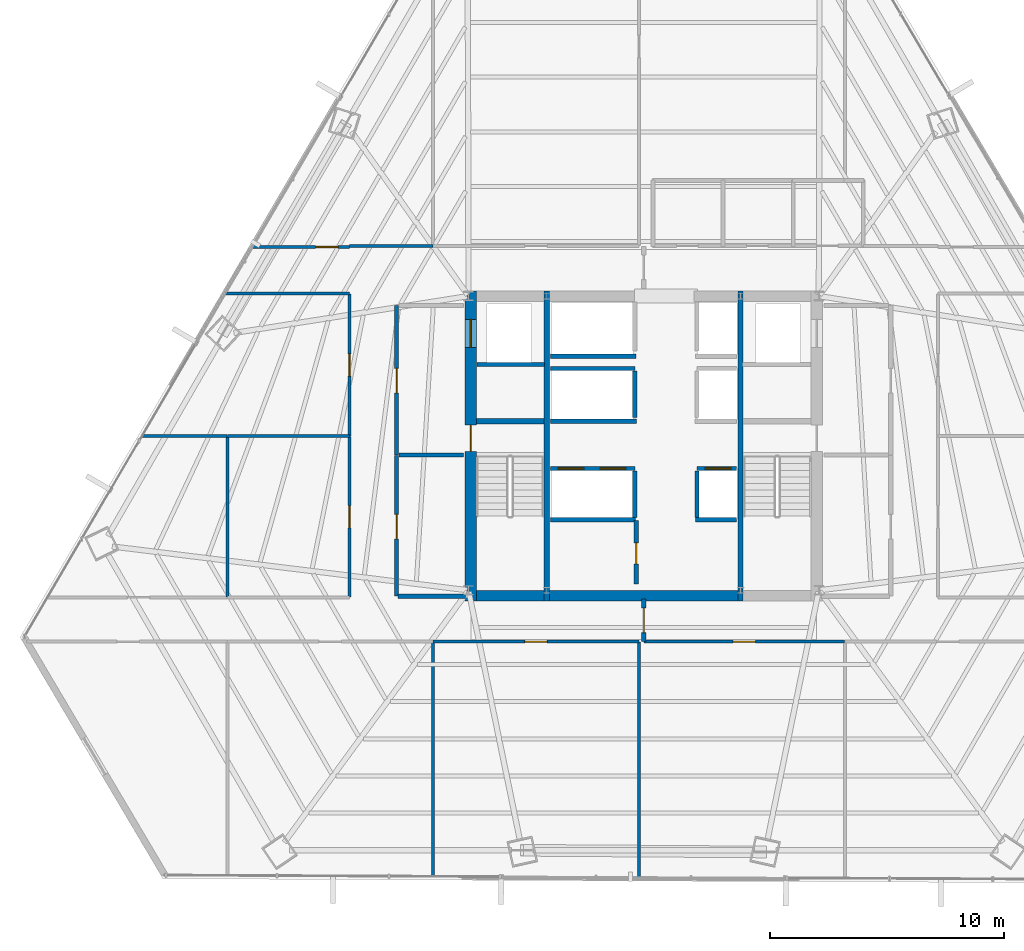
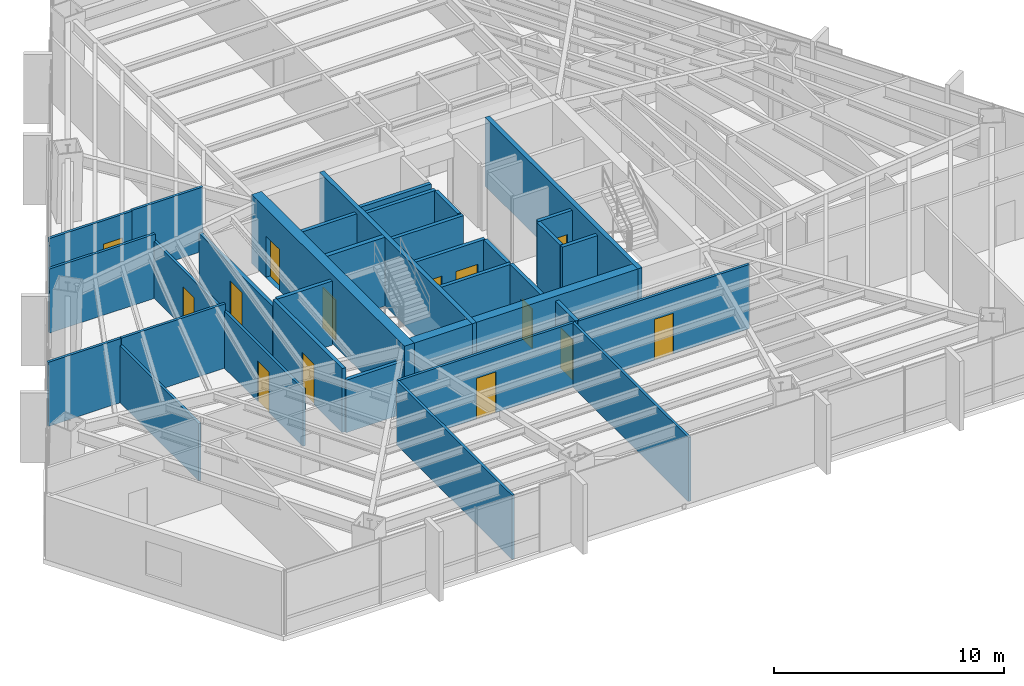
# One storey, part 30 of 35: 35 walls, 14 doors, 14 openings.
"""IFC4 building model written with IfcOpenShell, lengths in metres."""

from ifc_helpers import new_model, si_unit, direction, frame, frame_2d, origin, place, context, subcontext, project, spatial, rectangle, extrude, material, layer, layer_set, type_object, element, fill, save


model = new_model("IFC4")

# Units and contexts
model_context = context("Model", 3, precision=1e-05, world=origin(), true_north=direction((0.0, 1.0)))
body_context = subcontext(model_context, "Body", "Model", "MODEL_VIEW")
ifc_project = project(units=[si_unit("LENGTHUNIT", "METRE"), si_unit("AREAUNIT", "SQUARE_METRE"), si_unit("VOLUMEUNIT", "CUBIC_METRE"), si_unit("PLANEANGLEUNIT", "RADIAN"), si_unit("MASSUNIT", "GRAM", prefix="KILO")], contexts=[model_context])

# Site, building, storey
site_placement = place(None, origin())
site = spatial("IfcSite", under=ifc_project, at=site_placement, CompositionType="ELEMENT")
building_placement = place(site_placement, origin())
building = spatial("IfcBuilding", under=site, at=building_placement, Name="Caelisora Broadcast Tower", CompositionType="ELEMENT")
storey_placement = place(building_placement, frame((0.0, 0.0, 98.10009765625)))
storey = spatial("IfcBuildingStorey", under=building, at=storey_placement, Name="L25", CompositionType="ELEMENT", Elevation=98.10009765625)

# Wall, openings, doors
ifc_material_1 = material(Name="Concrete 50 MPa (AS 3600 S50)", Category="concrete")
ifc_layer_1 = layer(ifc_material_1, 0.5, Name="Concrete 50 MPa (AS 3600 S50)")
ifc_layer_set_1 = layer_set([ifc_layer_1], Name="Concrete 50 MPa (AS 3600 S50)")
wall_type_1 = type_object("IfcWallType", Name="CW2", PredefinedType="SHEAR", material=ifc_layer_set_1)
wall_1_placement = place(storey_placement, frame((30.590087890625, 16.949951171875, 0.0), z_axis=(0.0, 0.0, 1.0), x_axis=(0.0, 1.0, 0.0)))
wall_1 = element("IfcWall", 1, at=wall_1_placement, inside=storey, type_object=wall_type_1, Name="L25 core shear wall CW2", PredefinedType="SHEAR", context=body_context, shape_type="SweptSolid", body=[
    extrude(rectangle(XDim=13.275146484375, YDim=0.5, at=frame_2d((6.6376953125, 0.0))), origin(), (0.0, 0.0, 1.0), 3.64990234375),
])
opening_1_placement = place(wall_1_placement, frame((6.39990234375, 0.0, 0.0)))
opening_1 = element("IfcOpeningElement", 2, at=opening_1_placement, cuts=wall_1, Name="Opening FD04", PredefinedType="OPENING", context=body_context, shape_type="SweptSolid", body=[
    extrude(rectangle(XDim=1.1201171875, YDim=2.14990234375, at=frame_2d((0.56005859375, 1.074951171875))), frame((0.0, 0.261962890625, 0.0), z_axis=(0.0, -1.0, 0.0), x_axis=(1.0, 0.0, 0.0)), (0.0, 0.0, 1.0), 0.52392578125),
])
opening_2_placement = place(wall_1_placement, frame((10.85009765625, 0.0, 0.0)))
opening_2 = element("IfcOpeningElement", 3, at=opening_2_placement, cuts=wall_1, Name="Opening LD04", PredefinedType="OPENING", context=body_context, shape_type="SweptSolid", body=[
    extrude(rectangle(XDim=1.199951171875, YDim=2.199951171875, at=frame_2d((0.60009765625, 1.10009765625))), frame((0.0, 0.261962890625, 0.0), z_axis=(0.0, -1.0, 0.0), x_axis=(1.0, 0.0, 0.0)), (0.0, 0.0, 1.0), 0.52392578125),
])
ifc_material_2 = material(Name="Pressurised Fire-Isolated Stair Door", Category="steel")
door_type_1 = type_object("IfcDoorType", Name="FD04", OperationType="NOTDEFINED", PredefinedType="DOOR", material=ifc_material_2)
door_1_placement = place(opening_1_placement, origin())
door_1 = element("IfcDoor", 4, at=door_1_placement, inside=storey, type_object=door_type_1, Name="L25 door FD04 (L25-DR-ST1)", OperationType="SINGLE_SWING_LEFT", OverallHeight=2.14990234375, OverallWidth=1.1201171875, PredefinedType="DOOR", context=body_context, shape_type="SweptSolid", body=[
    extrude(rectangle(XDim=1.1201171875, YDim=2.14990234375, at=frame_2d((0.56005859375, 1.074951171875))), frame((0.0, 0.02490234375, 0.0), z_axis=(0.0, -1.0, 0.0), x_axis=(1.0, 0.0, 0.0)), (0.0, 0.0, 1.0), 0.050048828125),
])
fill(opening_1, door_1)
ifc_material_3 = material(Name="Emergency Firefighting Lift Sliding Landing Door", Category="steel")
door_type_2 = type_object("IfcDoorType", Name="LD04", OperationType="NOTDEFINED", PredefinedType="DOOR", material=ifc_material_3)
door_2_placement = place(opening_2_placement, origin())
door_2 = element("IfcDoor", 5, at=door_2_placement, inside=storey, type_object=door_type_2, Name="L25 door LD04 (L25-LD-FFL1)", OperationType="SLIDING_TO_LEFT", OverallHeight=2.199951171875, OverallWidth=1.199951171875, PredefinedType="DOOR", context=body_context, shape_type="SweptSolid", body=[
    extrude(rectangle(XDim=1.199951171875, YDim=2.199951171875, at=frame_2d((0.60009765625, 1.10009765625))), frame((0.0, 0.02490234375, 0.0), z_axis=(0.0, -1.0, 0.0), x_axis=(1.0, 0.0, 0.0)), (0.0, 0.0, 1.0), 0.050048828125),
])
fill(opening_2, door_2)

# Walls
ifc_layer_2 = layer(ifc_material_1, 0.449951171875, Name="Concrete 50 MPa (AS 3600 S50)")
ifc_layer_set_2 = layer_set([ifc_layer_2], Name="Concrete 50 MPa (AS 3600 S50)")
wall_type_2 = type_object("IfcWallType", Name="CW5", PredefinedType="SHEAR", material=ifc_layer_set_2)
wall_2_placement = place(storey_placement, frame((30.840087890625, 17.175048828125, 0.0), z_axis=(0.0, 0.0, 1.0), x_axis=(1.0, 0.0, 0.0)))
element("IfcWall", 6, at=wall_2_placement, inside=storey, type_object=wall_type_2, Name="L25 core shear wall CW5", PredefinedType="SHEAR", context=body_context, shape_type="SweptSolid", body=[
    extrude(rectangle(XDim=2.89990234375, YDim=0.449951171875, at=frame_2d((1.449951171875, 0.0))), origin(), (0.0, 0.0, 1.0), 3.64990234375),
])
wall_3_placement = place(storey_placement, frame((33.9599609375, 17.175048828125, 0.0), z_axis=(0.0, 0.0, 1.0), x_axis=(1.0, 0.0, 0.0)))
element("IfcWall", 7, at=wall_3_placement, inside=storey, type_object=wall_type_2, Name="L25 core shear wall CW5", PredefinedType="SHEAR", context=body_context, shape_type="SweptSolid", body=[
    extrude(rectangle(XDim=8.080078125, YDim=0.449951171875, at=frame_2d((4.0400390625, 0.0))), origin(), (0.0, 0.0, 1.0), 3.64990234375),
])
ifc_layer_3 = layer(ifc_material_1, 0.219970703125, Name="Concrete 50 MPa (AS 3600 S50)")
ifc_layer_set_3 = layer_set([ifc_layer_3], Name="Concrete 50 MPa (AS 3600 S50)")
wall_type_3 = type_object("IfcWallType", Name="CW7", PredefinedType="SHEAR", material=ifc_layer_set_3)
for number, where, z_axis, x_axis, name in (
    (8, (33.85009765625, 16.949951171875, 0.0), (0.0, 0.0, 1.0), (0.0, 1.0, 0.0), "L25 core shear wall CW7"),
    (9, (42.14990234375, 16.949951171875, 0.0), (0.0, 0.0, 1.0), (0.0, 1.0, 0.0), "L25 core shear wall CW7"),
):
    element("IfcWall", number, at=place(storey_placement, frame(where, z_axis=z_axis, x_axis=x_axis)), inside=storey, type_object=wall_type_3, Name=name, PredefinedType="SHEAR", context=body_context, shape_type="SweptSolid", body=[
        extrude(rectangle(XDim=13.275146484375, YDim=0.219970703125, at=frame_2d((6.6376953125, 0.0))), origin(), (0.0, 0.0, 1.0), 3.64990234375),
    ])
wall_4_placement = place(storey_placement, frame((30.840087890625, 24.639892578125, 0.0), z_axis=(0.0, 0.0, 1.0), x_axis=(1.0, 0.0, 0.0)))
element("IfcWall", 10, at=wall_4_placement, inside=storey, type_object=wall_type_3, Name="L25 core shear wall CW7", PredefinedType="SHEAR", context=body_context, shape_type="SweptSolid", body=[
    extrude(rectangle(XDim=2.89990234375, YDim=0.219970703125, at=frame_2d((1.449951171875, 0.0))), origin(), (0.0, 0.0, 1.0), 3.64990234375),
])

# Wall, openings, doors
ifc_material_4 = material(Name="Fire-Rated Gypsum Shaft and Compartment Wall", Category="gypsum")
ifc_layer_4 = layer(ifc_material_4, 0.179931640625, Name="Fire-Rated Gypsum Shaft and Compartment Wall")
ifc_layer_set_4 = layer_set([ifc_layer_4], Name="Fire-Rated Gypsum Shaft and Compartment Wall")
wall_type_4 = type_object("IfcWallType", Name="PW2", PredefinedType="PARTITIONING", material=ifc_layer_set_4)
wall_5_placement = place(storey_placement, frame((34.02001953125, 22.6201171875, 0.0), z_axis=(0.0, 0.0, 1.0), x_axis=(1.0, 0.0, 0.0)))
wall_5 = element("IfcWall", 11, at=wall_5_placement, inside=storey, type_object=wall_type_4, Name="L25 fire compartment wall PW2", PredefinedType="PARTITIONING", context=body_context, shape_type="SweptSolid", body=[
    extrude(rectangle(XDim=3.60009765625, YDim=0.179931640625, at=frame_2d((1.800048828125, 0.0))), origin(), (0.0, 0.0, 1.0), 3.39990234375),
])
opening_3_placement = place(wall_5_placement, frame((0.320068359375, 0.0, 0.0)))
opening_3 = element("IfcOpeningElement", 12, at=opening_3_placement, cuts=wall_5, Name="Opening LD01", PredefinedType="OPENING", context=body_context, shape_type="SweptSolid", body=[
    extrude(rectangle(XDim=1.10009765625, YDim=2.199951171875, at=frame_2d((0.550048828125, 1.10009765625))), frame((0.0, 0.10205078125, 0.0), z_axis=(0.0, -1.0, 0.0), x_axis=(1.0, 0.0, 0.0)), (0.0, 0.0, 1.0), 0.203857421875),
])
opening_4_placement = place(wall_5_placement, frame((2.1201171875, 0.0, 0.0)))
opening_4 = element("IfcOpeningElement", 13, at=opening_4_placement, cuts=wall_5, Name="Opening LD01", PredefinedType="OPENING", context=body_context, shape_type="SweptSolid", body=[
    extrude(rectangle(XDim=1.10009765625, YDim=2.199951171875, at=frame_2d((0.550048828125, 1.10009765625))), frame((0.0, 0.10205078125, 0.0), z_axis=(0.0, -1.0, 0.0), x_axis=(1.0, 0.0, 0.0)), (0.0, 0.0, 1.0), 0.203857421875),
])
ifc_material_5 = material(Name="Stainless Steel Centre-Parting Lift Landing Door", Category="steel")
door_type_3 = type_object("IfcDoorType", Name="LD01", OperationType="NOTDEFINED", PredefinedType="DOOR", material=ifc_material_5)
door_3_placement = place(opening_3_placement, origin())
door_3 = element("IfcDoor", 14, at=door_3_placement, inside=storey, type_object=door_type_3, Name="L25 door LD01 (L25-LD-PLL1)", OperationType="SLIDING_TO_LEFT", OverallHeight=2.199951171875, OverallWidth=1.10009765625, PredefinedType="DOOR", context=body_context, shape_type="SweptSolid", body=[
    extrude(rectangle(XDim=1.10009765625, YDim=2.199951171875, at=frame_2d((0.550048828125, 1.10009765625))), frame((0.0, 0.02490234375, 0.0), z_axis=(0.0, -1.0, 0.0), x_axis=(1.0, 0.0, 0.0)), (0.0, 0.0, 1.0), 0.050048828125),
])
fill(opening_3, door_3)
door_4_placement = place(opening_4_placement, origin())
door_4 = element("IfcDoor", 15, at=door_4_placement, inside=storey, type_object=door_type_3, Name="L25 door LD01 (L25-LD-PLL2)", OperationType="SLIDING_TO_RIGHT", OverallHeight=2.199951171875, OverallWidth=1.10009765625, PredefinedType="DOOR", context=body_context, shape_type="SweptSolid", body=[
    extrude(rectangle(XDim=1.10009765625, YDim=2.199951171875, at=frame_2d((0.550048828125, 1.10009765625))), frame((0.0, 0.02490234375, 0.0), z_axis=(0.0, -1.0, 0.0), x_axis=(1.0, 0.0, 0.0)), (0.0, 0.0, 1.0), 0.050048828125),
])
fill(opening_4, door_4)

# Wall, opening, door
wall_6_placement = place(storey_placement, frame((40.280029296875, 22.6201171875, 0.0), z_axis=(0.0, 0.0, 1.0), x_axis=(1.0, 0.0, 0.0)))
wall_6 = element("IfcWall", 16, at=wall_6_placement, inside=storey, type_object=wall_type_4, Name="L25 fire compartment wall PW2", PredefinedType="PARTITIONING", context=body_context, shape_type="SweptSolid", body=[
    extrude(rectangle(XDim=1.699951171875, YDim=0.179931640625, at=frame_2d((0.85009765625, 0.0))), origin(), (0.0, 0.0, 1.0), 3.39990234375),
])
opening_5_placement = place(wall_6_placement, frame((0.35009765625, 0.0, 0.0)))
opening_5 = element("IfcOpeningElement", 17, at=opening_5_placement, cuts=wall_6, Name="Opening LD01", PredefinedType="OPENING", context=body_context, shape_type="SweptSolid", body=[
    extrude(rectangle(XDim=1.10009765625, YDim=2.199951171875, at=frame_2d((0.550048828125, 1.10009765625))), frame((0.0, 0.10205078125, 0.0), z_axis=(0.0, -1.0, 0.0), x_axis=(1.0, 0.0, 0.0)), (0.0, 0.0, 1.0), 0.203857421875),
])
door_5_placement = place(opening_5_placement, origin())
door_5 = element("IfcDoor", 18, at=door_5_placement, inside=storey, type_object=door_type_3, Name="L25 door LD01 (L25-LD-PLL3)", OperationType="SLIDING_TO_LEFT", OverallHeight=2.199951171875, OverallWidth=1.10009765625, PredefinedType="DOOR", context=body_context, shape_type="SweptSolid", body=[
    extrude(rectangle(XDim=1.10009765625, YDim=2.199951171875, at=frame_2d((0.550048828125, 1.10009765625))), frame((0.0, 0.02490234375, 0.0), z_axis=(0.0, -1.0, 0.0), x_axis=(1.0, 0.0, 0.0)), (0.0, 0.0, 1.0), 0.050048828125),
])
fill(opening_5, door_5)

# Walls
for number, where, z_axis, x_axis, name in (
    (19, (37.6201171875, 20.52001953125, 0.0), (0.0, 0.0, 1.0), (0.0, 1.0, 0.0), "L25 fire compartment wall PW2"),
    (20, (40.280029296875, 20.52001953125, 0.0), (0.0, 0.0, 1.0), (0.0, 1.0, 0.0), "L25 fire compartment wall PW2"),
):
    element("IfcWall", number, at=place(storey_placement, frame(where, z_axis=z_axis, x_axis=x_axis)), inside=storey, type_object=wall_type_4, Name=name, PredefinedType="PARTITIONING", context=body_context, shape_type="SweptSolid", body=[
        extrude(rectangle(XDim=2.0, YDim=0.179931640625, at=frame_2d((1.0, 0.0))), origin(), (0.0, 0.0, 1.0), 3.39990234375),
    ])
wall_7_placement = place(storey_placement, frame((34.02001953125, 26.89990234375, 0.0), z_axis=(0.0, 0.0, 1.0), x_axis=(1.0, 0.0, 0.0)))
element("IfcWall", 21, at=wall_7_placement, inside=storey, type_object=wall_type_4, Name="L25 fire compartment wall PW2", PredefinedType="PARTITIONING", context=body_context, shape_type="SweptSolid", body=[
    extrude(rectangle(XDim=3.60009765625, YDim=0.179931640625, at=frame_2d((1.800048828125, 0.0))), origin(), (0.0, 0.0, 1.0), 3.39990234375),
])
wall_8_placement = place(storey_placement, frame((37.6201171875, 24.800048828125, 0.0), z_axis=(0.0, 0.0, 1.0), x_axis=(0.0, 1.0, 0.0)))
element("IfcWall", 22, at=wall_8_placement, inside=storey, type_object=wall_type_4, Name="L25 fire compartment wall PW2", PredefinedType="PARTITIONING", context=body_context, shape_type="SweptSolid", body=[
    extrude(rectangle(XDim=2.0, YDim=0.179931640625, at=frame_2d((1.0, 0.0))), origin(), (0.0, 0.0, 1.0), 3.39990234375),
])
wall_9_placement = place(storey_placement, frame((34.02001953125, 24.639892578125, 0.0), z_axis=(0.0, 0.0, 1.0), x_axis=(1.0, 0.0, 0.0)))
element("IfcWall", 23, at=wall_9_placement, inside=storey, type_object=wall_type_4, Name="L25 fire compartment wall PW2", PredefinedType="PARTITIONING", context=body_context, shape_type="SweptSolid", body=[
    extrude(rectangle(XDim=3.679931640625, YDim=0.179931640625, at=frame_2d((1.83984375, 0.0))), origin(), (0.0, 0.0, 1.0), 3.39990234375),
])
wall_10_placement = place(storey_placement, frame((34.02001953125, 27.419921875, 0.0), z_axis=(0.0, 0.0, 1.0), x_axis=(1.0, 0.0, 0.0)))
element("IfcWall", 24, at=wall_10_placement, inside=storey, type_object=wall_type_4, Name="L25 fire compartment wall PW2", PredefinedType="PARTITIONING", context=body_context, shape_type="SweptSolid", body=[
    extrude(rectangle(XDim=3.659912109375, YDim=0.179931640625, at=frame_2d((1.830078125, 0.0))), origin(), (0.0, 0.0, 1.0), 3.39990234375),
])

# Wall, opening, door
wall_11_placement = place(storey_placement, frame((27.419921875, 23.199951171875, 0.0), z_axis=(0.0, 0.0, 1.0), x_axis=(0.0, 1.0, 0.0)))
wall_11 = element("IfcWall", 25, at=wall_11_placement, inside=storey, type_object=wall_type_4, Name="L25 fire compartment wall PW2", PredefinedType="PARTITIONING", context=body_context, shape_type="SweptSolid", body=[
    extrude(rectangle(XDim=6.400146484375, YDim=0.179931640625, at=frame_2d((3.2001953125, 0.0))), origin(), (0.0, 0.0, 1.0), 3.0263671875),
])
opening_6_placement = place(wall_11_placement, frame((2.64990234375, 0.0, 0.0)))
opening_6 = element("IfcOpeningElement", 26, at=opening_6_placement, cuts=wall_11, Name="Opening FD02", PredefinedType="OPENING", context=body_context, shape_type="SweptSolid", body=[
    extrude(rectangle(XDim=1.050048828125, YDim=2.14990234375, at=frame_2d((0.52490234375, 1.074951171875))), frame((0.0, 0.10205078125, 0.0), z_axis=(0.0, -1.0, 0.0), x_axis=(1.0, 0.0, 0.0)), (0.0, 0.0, 1.0), 0.203857421875),
])
ifc_material_6 = material(Name="Single-Leaf Steel Fire Lobby Door", Category="steel")
door_type_4 = type_object("IfcDoorType", Name="FD02", OperationType="NOTDEFINED", PredefinedType="DOOR", material=ifc_material_6)
door_6_placement = place(opening_6_placement, origin())
door_6 = element("IfcDoor", 27, at=door_6_placement, inside=storey, type_object=door_type_4, Name="L25 door FD02 (L25-DR-P01D1)", OperationType="SINGLE_SWING_RIGHT", OverallHeight=2.14990234375, OverallWidth=1.050048828125, PredefinedType="DOOR", context=body_context, shape_type="SweptSolid", body=[
    extrude(rectangle(XDim=1.050048828125, YDim=2.14990234375, at=frame_2d((0.52490234375, 1.074951171875))), frame((0.0, 0.02490234375, 0.0), z_axis=(0.0, -1.0, 0.0), x_axis=(1.0, 0.0, 0.0)), (0.0, 0.0, 1.0), 0.050048828125),
])
fill(opening_6, door_6)

# Walls
wall_12_placement = place(storey_placement, frame((27.52001953125, 23.199951171875, 0.0), z_axis=(0.0, 0.0, 1.0), x_axis=(1.0, 0.0, 0.0)))
element("IfcWall", 28, at=wall_12_placement, inside=storey, type_object=wall_type_4, Name="L25 fire compartment wall PW2", PredefinedType="PARTITIONING", context=body_context, shape_type="SweptSolid", body=[
    extrude(rectangle(XDim=2.760009765625, YDim=0.179931640625, at=frame_2d((1.3798828125, 0.0))), origin(), (0.0, 0.0, 1.0), 3.39990234375),
])
wall_13_placement = place(storey_placement, frame((30.860107421875, 27.070068359375, 0.0), z_axis=(0.0, 0.0, 1.0), x_axis=(1.0, 0.0, 0.0)))
element("IfcWall", 29, at=wall_13_placement, inside=storey, type_object=wall_type_4, Name="L25 fire compartment wall PW2", PredefinedType="PARTITIONING", context=body_context, shape_type="SweptSolid", body=[
    extrude(rectangle(XDim=2.89990234375, YDim=0.179931640625, at=frame_2d((1.449951171875, 0.0))), origin(), (0.0, 0.0, 1.0), 3.39990234375),
])
wall_14_placement = place(storey_placement, frame((34.02001953125, 20.419921875, 0.0), z_axis=(0.0, 0.0, 1.0), x_axis=(1.0, 0.0, 0.0)))
element("IfcWall", 30, at=wall_14_placement, inside=storey, type_object=wall_type_4, Name="L25 fire compartment wall PW2", PredefinedType="PARTITIONING", context=body_context, shape_type="SweptSolid", body=[
    extrude(rectangle(XDim=3.639892578125, YDim=0.179931640625, at=frame_2d((1.81982421875, 0.0))), origin(), (0.0, 0.0, 1.0), 3.39990234375),
])
wall_15_placement = place(storey_placement, frame((40.219970703125, 20.419921875, 0.0), z_axis=(0.0, 0.0, 1.0), x_axis=(1.0, 0.0, 0.0)))
element("IfcWall", 31, at=wall_15_placement, inside=storey, type_object=wall_type_4, Name="L25 fire compartment wall PW2", PredefinedType="PARTITIONING", context=body_context, shape_type="SweptSolid", body=[
    extrude(rectangle(XDim=1.760009765625, YDim=0.179931640625, at=frame_2d((0.8798828125, 0.0))), origin(), (0.0, 0.0, 1.0), 3.39990234375),
])

# Wall, opening, door
wall_16_placement = place(storey_placement, frame((37.679931640625, 17.679931640625, 0.0), z_axis=(0.0, 0.0, 1.0), x_axis=(0.0, 1.0, 0.0)))
wall_16 = element("IfcWall", 32, at=wall_16_placement, inside=storey, type_object=wall_type_4, Name="L25 fire compartment wall PW2", PredefinedType="PARTITIONING", context=body_context, shape_type="SweptSolid", body=[
    extrude(rectangle(XDim=2.699951171875, YDim=0.179931640625, at=frame_2d((1.35009765625, 0.0))), origin(), (0.0, 0.0, 1.0), 3.39990234375),
])
opening_7_placement = place(wall_16_placement, frame((0.85009765625, 0.0, 0.0)))
opening_7 = element("IfcOpeningElement", 33, at=opening_7_placement, cuts=wall_16, Name="Opening FD03", PredefinedType="OPENING", context=body_context, shape_type="SweptSolid", body=[
    extrude(rectangle(XDim=0.89990234375, YDim=2.10009765625, at=frame_2d((0.449951171875, 1.050048828125))), frame((0.0, 0.10205078125, 0.0), z_axis=(0.0, -1.0, 0.0), x_axis=(1.0, 0.0, 0.0)), (0.0, 0.0, 1.0), 0.203857421875),
])
ifc_material_7 = material(Name="Single-Leaf Steel Riser Fire Access Door", Category="steel")
door_type_5 = type_object("IfcDoorType", Name="FD03", OperationType="NOTDEFINED", PredefinedType="DOOR", material=ifc_material_7)
door_7_placement = place(opening_7_placement, origin())
door_7 = element("IfcDoor", 34, at=door_7_placement, inside=storey, type_object=door_type_5, Name="L25 door FD03 (L25-DR-P11D1)", OperationType="SINGLE_SWING_RIGHT", OverallHeight=2.10009765625, OverallWidth=0.89990234375, PredefinedType="DOOR", context=body_context, shape_type="SweptSolid", body=[
    extrude(rectangle(XDim=0.89990234375, YDim=2.10009765625, at=frame_2d((0.449951171875, 1.050048828125))), frame((0.0, 0.02490234375, 0.0), z_axis=(0.0, -1.0, 0.0), x_axis=(1.0, 0.0, 0.0)), (0.0, 0.0, 1.0), 0.050048828125),
])
fill(opening_7, door_7)

wall_17_placement = place(storey_placement, frame((27.419921875, 17.14990234375, 0.0), z_axis=(0.0, 0.0, 1.0), x_axis=(0.0, 1.0, 0.0)))
wall_17 = element("IfcWall", 35, at=wall_17_placement, inside=storey, type_object=wall_type_4, Name="L25 fire compartment wall PW2", PredefinedType="PARTITIONING", context=body_context, shape_type="SweptSolid", body=[
    extrude(rectangle(XDim=6.030029296875, YDim=0.179931640625, at=frame_2d((3.01513671875, 0.0))), origin(), (0.0, 0.0, 1.0), 3.39990234375),
])
opening_8_placement = place(wall_17_placement, frame((2.449951171875, 0.0, 0.0)))
opening_8 = element("IfcOpeningElement", 36, at=opening_8_placement, cuts=wall_17, Name="Opening FD02", PredefinedType="OPENING", context=body_context, shape_type="SweptSolid", body=[
    extrude(rectangle(XDim=1.050048828125, YDim=2.14990234375, at=frame_2d((0.52490234375, 1.074951171875))), frame((0.0, 0.10205078125, 0.0), z_axis=(0.0, -1.0, 0.0), x_axis=(1.0, 0.0, 0.0)), (0.0, 0.0, 1.0), 0.203857421875),
])
door_8_placement = place(opening_8_placement, origin())
door_8 = element("IfcDoor", 37, at=door_8_placement, inside=storey, type_object=door_type_4, Name="L25 door FD02 (L25-DR-P12D1)", OperationType="SINGLE_SWING_LEFT", OverallHeight=2.14990234375, OverallWidth=1.050048828125, PredefinedType="DOOR", context=body_context, shape_type="SweptSolid", body=[
    extrude(rectangle(XDim=1.050048828125, YDim=2.14990234375, at=frame_2d((0.52490234375, 1.074951171875))), frame((0.0, 0.02490234375, 0.0), z_axis=(0.0, -1.0, 0.0), x_axis=(1.0, 0.0, 0.0)), (0.0, 0.0, 1.0), 0.050048828125),
])
fill(opening_8, door_8)

# Wall
wall_18_placement = place(storey_placement, frame((27.47998046875, 17.14990234375, 0.0), z_axis=(0.0, 0.0, 1.0), x_axis=(1.0, 0.0, 0.0)))
element("IfcWall", 38, at=wall_18_placement, inside=storey, type_object=wall_type_4, Name="L25 fire compartment wall PW2", PredefinedType="PARTITIONING", context=body_context, shape_type="SweptSolid", body=[
    extrude(rectangle(XDim=2.89990234375, YDim=0.179931640625, at=frame_2d((1.449951171875, 0.0))), origin(), (0.0, 0.0, 1.0), 2.78271484375),
])

# Wall, opening, door
wall_19_placement = place(storey_placement, frame((38.0, 15.205078125, 0.0), z_axis=(0.0, 0.0, 1.0), x_axis=(0.0, 1.0, 0.0)))
wall_19 = element("IfcWall", 39, at=wall_19_placement, inside=storey, type_object=wall_type_4, Name="L25 fire compartment wall PW2", PredefinedType="PARTITIONING", context=body_context, shape_type="SweptSolid", body=[
    extrude(rectangle(XDim=1.81982421875, YDim=0.179931640625, at=frame_2d((0.909912109375, 0.0))), origin(), (0.0, 0.0, 1.0), 3.39990234375),
])
opening_9_placement = place(wall_19_placement, frame((0.385009765625, 0.0, 0.0)))
opening_9 = element("IfcOpeningElement", 40, at=opening_9_placement, cuts=wall_19, Name="Opening FD02", PredefinedType="OPENING", context=body_context, shape_type="SweptSolid", body=[
    extrude(rectangle(XDim=1.050048828125, YDim=2.14990234375, at=frame_2d((0.52490234375, 1.074951171875))), frame((0.0, 0.10205078125, 0.0), z_axis=(0.0, -1.0, 0.0), x_axis=(1.0, 0.0, 0.0)), (0.0, 0.0, 1.0), 0.203857421875),
])
door_9_placement = place(opening_9_placement, origin())
door_9 = element("IfcDoor", 41, at=door_9_placement, inside=storey, type_object=door_type_4, Name="L25 door FD02 (L25-DR-P63D1)", OperationType="SINGLE_SWING_LEFT", OverallHeight=2.14990234375, OverallWidth=1.050048828125, PredefinedType="DOOR", context=body_context, shape_type="SweptSolid", body=[
    extrude(rectangle(XDim=1.050048828125, YDim=2.14990234375, at=frame_2d((0.52490234375, 1.074951171875))), frame((0.0, 0.02490234375, 0.0), z_axis=(0.0, -1.0, 0.0), x_axis=(1.0, 0.0, 0.0)), (0.0, 0.0, 1.0), 0.050048828125),
])
fill(opening_9, door_9)

# Walls
ifc_material_8 = material(Name="Acoustic Steel-Stud Plasterboard Partition", Category="gypsum")
ifc_layer_5 = layer(ifc_material_8, 0.1298828125, Name="Acoustic Steel-Stud Plasterboard Partition")
ifc_layer_set_5 = layer_set([ifc_layer_5], Name="Acoustic Steel-Stud Plasterboard Partition")
wall_type_5 = type_object("IfcWallType", Name="PW3", PredefinedType="PARTITIONING", material=ifc_layer_set_5)
wall_20_placement = place(storey_placement, frame((37.800048828125, 5.101318359375, 0.0), z_axis=(0.0, 0.0, 1.0), x_axis=(0.0, 1.0, 0.0)))
element("IfcWall", 42, at=wall_20_placement, inside=storey, type_object=wall_type_5, Name="L25 internal partition PW3", PredefinedType="PARTITIONING", context=body_context, shape_type="SweptSolid", body=[
    extrude(rectangle(XDim=10.09375, YDim=0.1298828125, at=frame_2d((5.046875, 0.0))), origin(), (0.0, 0.0, 1.0), 3.39990234375),
])
wall_21_placement = place(storey_placement, frame((28.97998046875, 5.141357421875, 0.0), z_axis=(0.0, 0.0, 1.0), x_axis=(0.0, 1.0, 0.0)))
element("IfcWall", 43, at=wall_21_placement, inside=storey, type_object=wall_type_5, Name="L25 internal partition PW3", PredefinedType="PARTITIONING", context=body_context, shape_type="SweptSolid", body=[
    extrude(rectangle(XDim=10.0537109375, YDim=0.1298828125, at=frame_2d((5.02685546875, 0.0))), origin(), (0.0, 0.0, 1.0), 3.39990234375),
])

# Wall, opening, door
wall_22_placement = place(storey_placement, frame((28.985107421875, 15.199951171875, 0.0), z_axis=(0.0, 0.0, 1.0), x_axis=(1.0, 0.0, 0.0)))
wall_22 = element("IfcWall", 44, at=wall_22_placement, inside=storey, type_object=wall_type_5, Name="L25 internal partition PW3", PredefinedType="PARTITIONING", context=body_context, shape_type="SweptSolid", body=[
    extrude(rectangle(XDim=8.809814453125, YDim=0.1298828125, at=frame_2d((4.40478515625, 0.0))), origin(), (0.0, 0.0, 1.0), 3.39990234375),
])
opening_10_placement = place(wall_22_placement, frame((3.925048828125, 0.0, 0.0)))
opening_10 = element("IfcOpeningElement", 45, at=opening_10_placement, cuts=wall_22, Name="Opening D01", PredefinedType="OPENING", context=body_context, shape_type="SweptSolid", body=[
    extrude(rectangle(XDim=0.9599609375, YDim=2.14990234375, at=frame_2d((0.47998046875, 1.074951171875))), frame((0.0, 0.076904296875, 0.0), z_axis=(0.0, -1.0, 0.0), x_axis=(1.0, 0.0, 0.0)), (0.0, 0.0, 1.0), 0.15380859375),
])
ifc_material_9 = material(Name="Solid-Core Timber Acoustic Office Door", Category="wood")
door_type_6 = type_object("IfcDoorType", Name="D01", OperationType="NOTDEFINED", PredefinedType="DOOR", material=ifc_material_9)
door_10_placement = place(opening_10_placement, origin())
door_10 = element("IfcDoor", 46, at=door_10_placement, inside=storey, type_object=door_type_6, Name="L25 door D01 (L25-DR-P37D1)", OperationType="SINGLE_SWING_LEFT", OverallHeight=2.14990234375, OverallWidth=0.9599609375, PredefinedType="DOOR", context=body_context, shape_type="SweptSolid", body=[
    extrude(rectangle(XDim=0.9599609375, YDim=2.14990234375, at=frame_2d((0.47998046875, 1.074951171875))), frame((0.0, 0.02490234375, 0.0), z_axis=(0.0, -1.0, 0.0), x_axis=(1.0, 0.0, 0.0)), (0.0, 0.0, 1.0), 0.050048828125),
])
fill(opening_10, door_10)

wall_23_placement = place(storey_placement, frame((38.0048828125, 15.199951171875, 0.0), z_axis=(0.0, 0.0, 1.0), x_axis=(1.0, 0.0, 0.0)))
wall_23 = element("IfcWall", 47, at=wall_23_placement, inside=storey, type_object=wall_type_5, Name="L25 internal partition PW3", PredefinedType="PARTITIONING", context=body_context, shape_type="SweptSolid", body=[
    extrude(rectangle(XDim=8.60009765625, YDim=0.1298828125, at=frame_2d((4.300048828125, 0.0))), origin(), (0.0, 0.0, 1.0), 3.39990234375),
])
opening_11_placement = place(wall_23_placement, frame((3.820068359375, 0.0, 0.0)))
opening_11 = element("IfcOpeningElement", 48, at=opening_11_placement, cuts=wall_23, Name="Opening D01", PredefinedType="OPENING", context=body_context, shape_type="SweptSolid", body=[
    extrude(rectangle(XDim=0.9599609375, YDim=2.14990234375, at=frame_2d((0.47998046875, 1.074951171875))), frame((0.0, 0.076904296875, 0.0), z_axis=(0.0, -1.0, 0.0), x_axis=(1.0, 0.0, 0.0)), (0.0, 0.0, 1.0), 0.15380859375),
])
door_11_placement = place(opening_11_placement, origin())
door_11 = element("IfcDoor", 49, at=door_11_placement, inside=storey, type_object=door_type_6, Name="L25 door D01 (L25-DR-P40D1)", OperationType="SINGLE_SWING_RIGHT", OverallHeight=2.14990234375, OverallWidth=0.9599609375, PredefinedType="DOOR", context=body_context, shape_type="SweptSolid", body=[
    extrude(rectangle(XDim=0.9599609375, YDim=2.14990234375, at=frame_2d((0.47998046875, 1.074951171875))), frame((0.0, 0.02490234375, 0.0), z_axis=(0.0, -1.0, 0.0), x_axis=(1.0, 0.0, 0.0)), (0.0, 0.0, 1.0), 0.050048828125),
])
fill(opening_11, door_11)

wall_24_placement = place(storey_placement, frame((25.39990234375, 17.10498046875, 0.0), z_axis=(0.0, 0.0, 1.0), x_axis=(0.0, 1.0, 0.0)))
wall_24 = element("IfcWall", 50, at=wall_24_placement, inside=storey, type_object=wall_type_5, Name="L25 internal partition PW3", PredefinedType="PARTITIONING", context=body_context, shape_type="SweptSolid", body=[
    extrude(rectangle(XDim=6.89013671875, YDim=0.1298828125, at=frame_2d((3.445068359375, 0.0))), origin(), (0.0, 0.0, 1.0), 3.0263671875),
])
opening_12_placement = place(wall_24_placement, frame((2.965087890625, 0.0, 0.0)))
opening_12 = element("IfcOpeningElement", 51, at=opening_12_placement, cuts=wall_24, Name="Opening D01", PredefinedType="OPENING", context=body_context, shape_type="SweptSolid", body=[
    extrude(rectangle(XDim=0.9599609375, YDim=2.14990234375, at=frame_2d((0.47998046875, 1.074951171875))), frame((0.0, 0.076904296875, 0.0), z_axis=(0.0, -1.0, 0.0), x_axis=(1.0, 0.0, 0.0)), (0.0, 0.0, 1.0), 0.15380859375),
])
door_12_placement = place(opening_12_placement, origin())
door_12 = element("IfcDoor", 52, at=door_12_placement, inside=storey, type_object=door_type_6, Name="L25 door D01 (L25-DR-P44D1)", OperationType="SINGLE_SWING_RIGHT", OverallHeight=2.14990234375, OverallWidth=0.9599609375, PredefinedType="DOOR", context=body_context, shape_type="SweptSolid", body=[
    extrude(rectangle(XDim=0.9599609375, YDim=2.14990234375, at=frame_2d((0.47998046875, 1.074951171875))), frame((0.0, 0.02490234375, 0.0), z_axis=(0.0, -1.0, 0.0), x_axis=(1.0, 0.0, 0.0)), (0.0, 0.0, 1.0), 0.050048828125),
])
fill(opening_12, door_12)

# Wall
wall_25_placement = place(storey_placement, frame((20.169921875, 17.10498046875, 0.0), z_axis=(0.0, 0.0, 1.0), x_axis=(0.0, 1.0, 0.0)))
element("IfcWall", 53, at=wall_25_placement, inside=storey, type_object=wall_type_5, Name="L25 internal partition PW3", PredefinedType="PARTITIONING", context=body_context, shape_type="SweptSolid", body=[
    extrude(rectangle(XDim=6.89013671875, YDim=0.1298828125, at=frame_2d((3.445068359375, 0.0))), origin(), (0.0, 0.0, 1.0), 3.0263671875),
])

# Wall, opening, door
wall_26_placement = place(storey_placement, frame((25.39990234375, 24.0048828125, 0.0), z_axis=(0.0, 0.0, 1.0), x_axis=(0.0, 1.0, 0.0)))
wall_26 = element("IfcWall", 54, at=wall_26_placement, inside=storey, type_object=wall_type_5, Name="L25 internal partition PW3", PredefinedType="PARTITIONING", context=body_context, shape_type="SweptSolid", body=[
    extrude(rectangle(XDim=6.090087890625, YDim=0.1298828125, at=frame_2d((3.044921875, 0.0))), origin(), (0.0, 0.0, 1.0), 3.0263671875),
])
opening_13_placement = place(wall_26_placement, frame((2.56494140625, 0.0, 0.0)))
opening_13 = element("IfcOpeningElement", 55, at=opening_13_placement, cuts=wall_26, Name="Opening D01", PredefinedType="OPENING", context=body_context, shape_type="SweptSolid", body=[
    extrude(rectangle(XDim=0.9599609375, YDim=2.14990234375, at=frame_2d((0.47998046875, 1.074951171875))), frame((0.0, 0.076904296875, 0.0), z_axis=(0.0, -1.0, 0.0), x_axis=(1.0, 0.0, 0.0)), (0.0, 0.0, 1.0), 0.15380859375),
])
door_13_placement = place(opening_13_placement, origin())
door_13 = element("IfcDoor", 56, at=door_13_placement, inside=storey, type_object=door_type_6, Name="L25 door D01 (L25-DR-P48D1)", OperationType="SINGLE_SWING_RIGHT", OverallHeight=2.14990234375, OverallWidth=0.9599609375, PredefinedType="DOOR", context=body_context, shape_type="SweptSolid", body=[
    extrude(rectangle(XDim=0.9599609375, YDim=2.14990234375, at=frame_2d((0.47998046875, 1.074951171875))), frame((0.0, 0.02490234375, 0.0), z_axis=(0.0, -1.0, 0.0), x_axis=(1.0, 0.0, 0.0)), (0.0, 0.0, 1.0), 0.050048828125),
])
fill(opening_13, door_13)

# Walls
wall_27_placement = place(storey_placement, frame((25.39501953125, 30.10009765625, 0.0), z_axis=(0.0, 0.0, 1.0), x_axis=(-1.0, 0.0, 0.0)))
element("IfcWall", 57, at=wall_27_placement, inside=storey, type_object=wall_type_5, Name="L25 internal partition PW3", PredefinedType="PARTITIONING", context=body_context, shape_type="SweptSolid", body=[
    extrude(rectangle(XDim=5.3125, YDim=0.1298828125, at=frame_2d((2.65625, 0.0))), origin(), (0.0, 0.0, 1.0), 3.39990234375),
])
wall_28_placement = place(storey_placement, frame((20.175048828125, 24.0, 0.0), z_axis=(0.0, 0.0, 1.0), x_axis=(1.0, 0.0, 0.0)))
element("IfcWall", 58, at=wall_28_placement, inside=storey, type_object=wall_type_5, Name="L25 internal partition PW3", PredefinedType="PARTITIONING", context=body_context, shape_type="SweptSolid", body=[
    extrude(rectangle(XDim=5.219970703125, YDim=0.1298828125, at=frame_2d((2.60986328125, 0.0))), origin(), (0.0, 0.0, 1.0), 3.39990234375),
])

# Wall, opening, door
wall_29_placement = place(storey_placement, frame((21.254150390625, 32.10009765625, 0.0), z_axis=(0.0, 0.0, 1.0), x_axis=(1.0, 0.0, 0.0)))
wall_29 = element("IfcWall", 59, at=wall_29_placement, inside=storey, type_object=wall_type_5, Name="L25 internal partition PW3", PredefinedType="PARTITIONING", context=body_context, shape_type="SweptSolid", body=[
    extrude(rectangle(XDim=4.140869140625, YDim=0.1298828125, at=frame_2d((2.0703125, 0.0))), origin(), (0.0, 0.0, 1.0), 3.39990234375),
])
opening_14_placement = place(wall_29_placement, frame((2.699951171875, 0.0, 0.0)))
opening_14 = element("IfcOpeningElement", 60, at=opening_14_placement, cuts=wall_29, Name="Opening D01", PredefinedType="OPENING", context=body_context, shape_type="SweptSolid", body=[
    extrude(rectangle(XDim=0.9599609375, YDim=2.14990234375, at=frame_2d((0.47998046875, 1.074951171875))), frame((0.0, 0.076904296875, 0.0), z_axis=(0.0, -1.0, 0.0), x_axis=(1.0, 0.0, 0.0)), (0.0, 0.0, 1.0), 0.15380859375),
])
door_14_placement = place(opening_14_placement, origin())
door_14 = element("IfcDoor", 61, at=door_14_placement, inside=storey, type_object=door_type_6, Name="L25 door D01 (L25-DR-P59D1)", OperationType="SINGLE_SWING_RIGHT", OverallHeight=2.14990234375, OverallWidth=0.9599609375, PredefinedType="DOOR", context=body_context, shape_type="SweptSolid", body=[
    extrude(rectangle(XDim=0.9599609375, YDim=2.14990234375, at=frame_2d((0.47998046875, 1.074951171875))), frame((0.0, 0.02490234375, 0.0), z_axis=(0.0, -1.0, 0.0), x_axis=(1.0, 0.0, 0.0)), (0.0, 0.0, 1.0), 0.050048828125),
])
fill(opening_14, door_14)

# Walls
wall_30_placement = place(storey_placement, frame((16.50927734375, 24.0, 0.0), z_axis=(0.0, 0.0, 1.0), x_axis=(1.0, 0.0, 0.0)))
element("IfcWall", 62, at=wall_30_placement, inside=storey, type_object=wall_type_5, Name="L25 internal partition PW3", PredefinedType="PARTITIONING", context=body_context, shape_type="SweptSolid", body=[
    extrude(rectangle(XDim=3.65576171875, YDim=0.1298828125, at=frame_2d((1.827880859375, 0.0))), origin(), (0.0, 0.0, 1.0), 3.39990234375),
])
wall_31_placement = place(storey_placement, frame((25.405029296875, 32.14990234375, 0.0), z_axis=(0.0, 0.0, 1.0), x_axis=(1.0, 0.0, 0.0)))
element("IfcWall", 63, at=wall_31_placement, inside=storey, type_object=wall_type_5, Name="L25 internal partition PW3", PredefinedType="PARTITIONING", context=body_context, shape_type="SweptSolid", body=[
    extrude(rectangle(XDim=3.570068359375, YDim=0.1298828125, at=frame_2d((1.78515625, 0.0))), origin(), (0.0, 0.0, 1.0), 3.39990234375),
])

save(model, "model.ifc")
